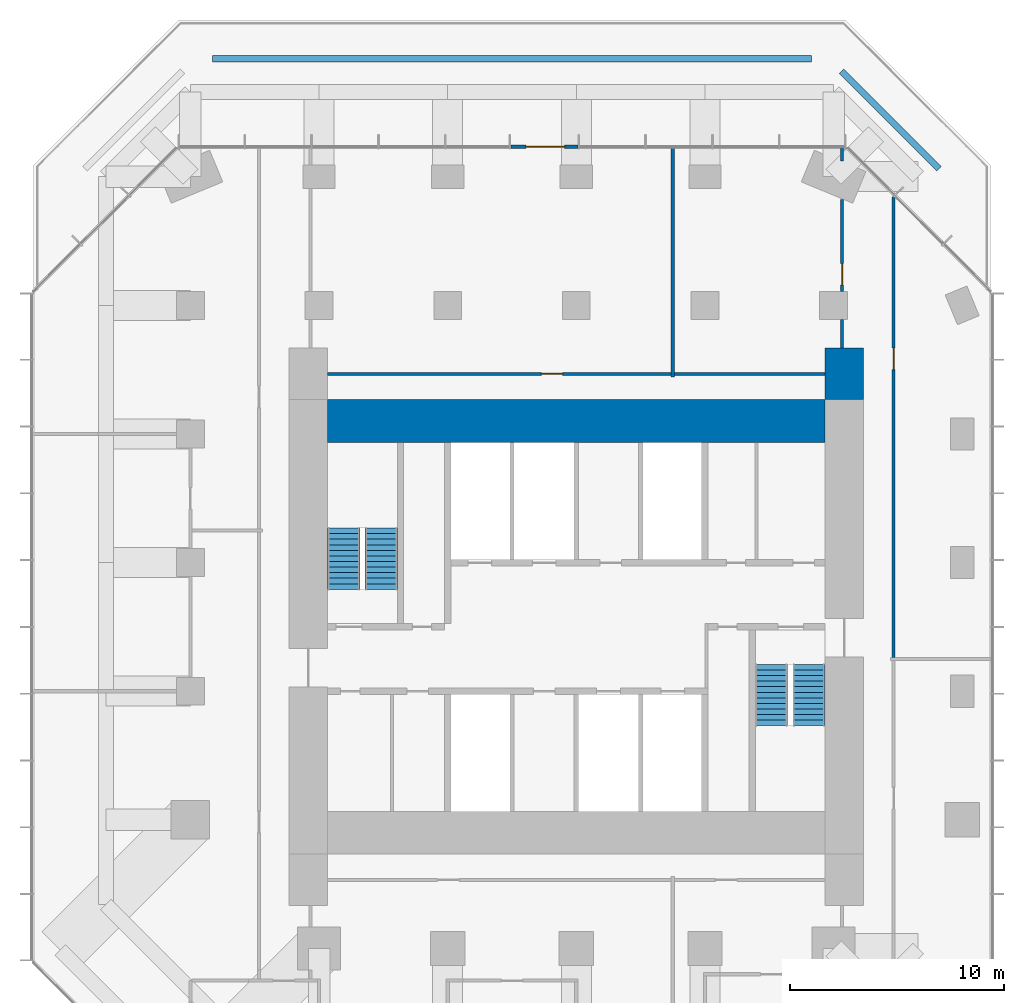
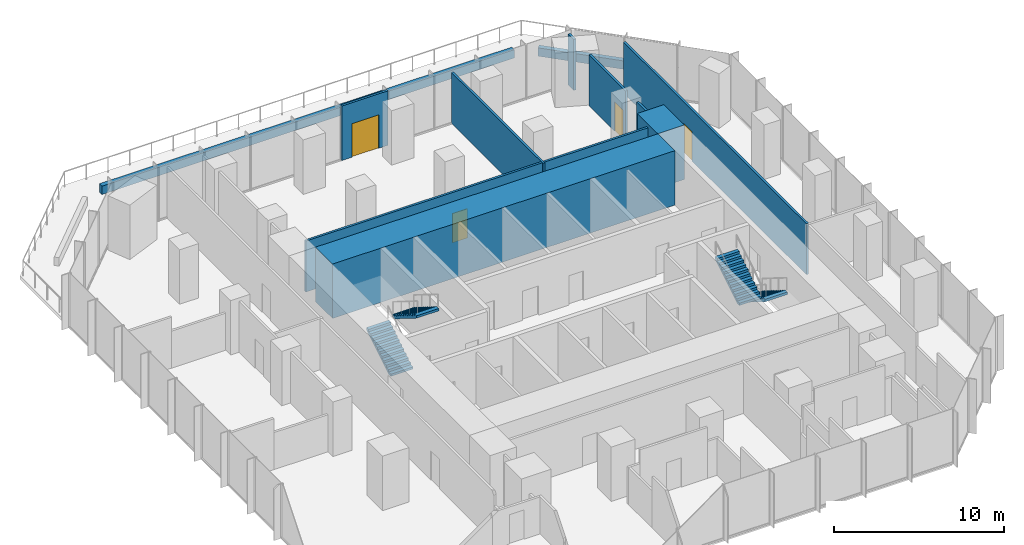
# One storey, part 10 of 11: 12 walls, 4 doors, 4 stair flights, 4 openings, 2 elements without a shape of their own.
"""IFC4 building model written with IfcOpenShell, lengths in metres."""

from ifc_helpers import new_model, si_unit, direction, frame, frame_2d, origin, place, context, subcontext, project, spatial, polyline, rectangle, outline, extrude, material, layer, layer_set, type_object, element, fill, aggregate, save


model = new_model("IFC4")

# Units and contexts
model_context = context("Model", 3, precision=1e-05, world=origin(), true_north=direction((0.0, 1.0)))
body_context = subcontext(model_context, "Body", "Model", "MODEL_VIEW")
ifc_project = project(units=[si_unit("LENGTHUNIT", "METRE"), si_unit("AREAUNIT", "SQUARE_METRE"), si_unit("VOLUMEUNIT", "CUBIC_METRE"), si_unit("PLANEANGLEUNIT", "RADIAN"), si_unit("MASSUNIT", "GRAM", prefix="KILO")], contexts=[model_context])

# Site, building, storey
site_placement = place(None, origin())
site = spatial("IfcSite", under=ifc_project, at=site_placement, CompositionType="ELEMENT")
building_placement = place(site_placement, origin())
building = spatial("IfcBuilding", under=site, at=building_placement, Name="Highveld Stack Headquarters", CompositionType="ELEMENT")
storey_placement = place(building_placement, frame((0.0, 0.0, 212.300048828125)))
storey = spatial("IfcBuildingStorey", under=building, at=storey_placement, Name="L52", CompositionType="ELEMENT", Elevation=212.300048828125)

# Walls
ifc_material_1 = material(Name="Concrete C60/75", Category="concrete")
ifc_layer_1 = layer(ifc_material_1, 2.0)
ifc_layer_set_1 = layer_set([ifc_layer_1], Name="Concrete C60/75")
wall_type_1 = type_object("IfcWallType", Name="CORE WALL 2000 C60/75", PredefinedType="SHEAR", material=ifc_layer_set_1)
wall_1_placement = place(storey_placement, frame((-5.60009765625, 12.60009765625, 0.0), z_axis=(0.0, 0.0, 1.0), x_axis=(1.0, 0.0, 0.0)))
element("IfcWall", 1, at=wall_1_placement, inside=storey, type_object=wall_type_1, Name="Core wall N L52", PredefinedType="SHEAR", context=body_context, shape_type="SweptSolid", body=[
    extrude(rectangle(XDim=23.2001953125, YDim=2.0, at=frame_2d((11.60009765625, 0.0))), origin(), (0.0, 0.0, 1.0), 3.89990234375),
])
ifc_material_2 = material(Name="Concrete C60/75", Category="concrete")
ifc_layer_2 = layer(ifc_material_2, 1.800048828125)
ifc_layer_set_2 = layer_set([ifc_layer_2], Name="Concrete C60/75")
wall_type_2 = type_object("IfcWallType", Name="CORE WING WALL 1800 C60/75", PredefinedType="SHEAR", material=ifc_layer_set_2)
wall_2_placement = place(storey_placement, frame((18.5, 13.60009765625, 0.0), z_axis=(0.0, 0.0, 1.0), x_axis=(0.0, 1.0, 0.0)))
element("IfcWall", 2, at=wall_2_placement, inside=storey, type_object=wall_type_2, Name="Core wing wall EN L52", PredefinedType="SHEAR", context=body_context, shape_type="SweptSolid", body=[
    extrude(rectangle(XDim=2.39990234375, YDim=1.800048828125, at=frame_2d((1.199951171875, 0.0))), origin(), (0.0, 0.0, 1.0), 3.89990234375),
])

# Wall, opening, door
ifc_material_3 = material(Name="Aluminium framed glazed screen", Category="aluminium")
ifc_layer_3 = layer(ifc_material_3, 0.14990234375)
ifc_layer_set_3 = layer_set([ifc_layer_3], Name="Aluminium framed glazed screen")
wall_type_3 = type_object("IfcWallType", Name="GLAZED DOOR SCREEN 150", PredefinedType="USERDEFINED", material=ifc_layer_set_3)
wall_3_placement = place(storey_placement, frame((2.95751953125, 25.39990234375, 0.0), z_axis=(0.0, 0.0, 1.0), x_axis=(1.0, 0.0, 0.0)))
wall_3 = element("IfcWall", 3, at=wall_3_placement, inside=storey, type_object=wall_type_3, Name="Glazed door screen L52 N", ObjectType="GLAZED SCREEN", PredefinedType="USERDEFINED", context=body_context, shape_type="SweptSolid", body=[
    extrude(rectangle(XDim=3.1259765625, YDim=0.14990234375, at=frame_2d((1.56298828125, 0.0))), origin(), (0.0, 0.0, 1.0), 3.89990234375),
])
opening_1_placement = place(wall_3_placement, frame((0.700439453125, 0.0, 0.0)))
opening_1 = element("IfcOpeningElement", 4, at=opening_1_placement, cuts=wall_3, Name="Opening L52-01", PredefinedType="OPENING", context=body_context, shape_type="SweptSolid", body=[
    extrude(rectangle(XDim=1.800048828125, YDim=2.39990234375, at=frame_2d((0.89990234375, 1.199951171875))), frame((0.0, 0.0849609375, 0.0), z_axis=(0.0, -1.0, 0.0), x_axis=(1.0, 0.0, 0.0)), (0.0, 0.0, 1.0), 0.169921875),
])
ifc_material_4 = material(Name="Aluminium framed glass door", Category="aluminium")
door_type_1 = type_object("IfcDoorType", Name="TERRACE DOOR D8 1800x2400", OperationType="DOUBLE_DOOR_SINGLE_SWING", PredefinedType="DOOR", material=ifc_material_4)
door_1_placement = place(opening_1_placement, origin())
door_1 = element("IfcDoor", 5, at=door_1_placement, inside=storey, type_object=door_type_1, Name="Terrace door L52 N", OperationType="DOUBLE_DOOR_SINGLE_SWING", OverallHeight=2.39990234375, OverallWidth=1.800048828125, PredefinedType="DOOR", context=body_context, shape_type="SweptSolid", body=[
    extrude(rectangle(XDim=1.800048828125, YDim=2.39990234375, at=frame_2d((0.89990234375, 1.199951171875))), frame((0.0, 0.02490234375, 0.0), z_axis=(0.0, -1.0, 0.0), x_axis=(1.0, 0.0, 0.0)), (0.0, 0.0, 1.0), 0.050048828125),
])
fill(opening_1, door_1)

ifc_material_5 = material(Name="Gypsum plasterboard on steel studs", Category="steel")
ifc_layer_4 = layer(ifc_material_5, 0.14990234375)
ifc_layer_set_4 = layer_set([ifc_layer_4], Name="Gypsum plasterboard on steel studs")
wall_type_4 = type_object("IfcWallType", Name="PARTITION 150 PLASTERBOARD", PredefinedType="PARTITIONING", material=ifc_layer_set_4)
wall_4_placement = place(storey_placement, frame((-5.60009765625, 14.800048828125, 0.0), z_axis=(0.0, 0.0, 1.0), x_axis=(1.0, 0.0, 0.0)))
wall_4 = element("IfcWall", 6, at=wall_4_placement, inside=storey, type_object=wall_type_4, Name="Partition office neighbourhood L52", PredefinedType="PARTITIONING", context=body_context, shape_type="SweptSolid", body=[
    extrude(rectangle(XDim=16.025146484375, YDim=0.14990234375, at=frame_2d((8.0126953125, 0.0))), origin(), (0.0, 0.0, 1.0), 3.64990234375),
])
opening_2_placement = place(wall_4_placement, frame((9.965087890625, 0.0, 0.0)))
opening_2 = element("IfcOpeningElement", 7, at=opening_2_placement, cuts=wall_4, Name="Opening L52-23", PredefinedType="OPENING", context=body_context, shape_type="SweptSolid", body=[
    extrude(rectangle(XDim=1.0, YDim=2.10009765625, at=frame_2d((0.5, 1.050048828125))), frame((0.0, 0.0849609375, 0.0), z_axis=(0.0, -1.0, 0.0), x_axis=(1.0, 0.0, 0.0)), (0.0, 0.0, 1.0), 0.169921875),
])
ifc_material_6 = material(Name="Timber door, oiled ash", Category="wood")
door_type_2 = type_object("IfcDoorType", Name="ROOM DOOR D6 1000x2100", OperationType="SINGLE_SWING_LEFT", PredefinedType="DOOR", material=ifc_material_6)
door_2_placement = place(opening_2_placement, origin())
door_2 = element("IfcDoor", 8, at=door_2_placement, inside=storey, type_object=door_type_2, Name="Office neighbourhood door L52", OperationType="SINGLE_SWING_RIGHT", OverallHeight=2.10009765625, OverallWidth=1.0, PredefinedType="DOOR", context=body_context, shape_type="SweptSolid", body=[
    extrude(rectangle(XDim=1.0, YDim=2.10009765625, at=frame_2d((0.5, 1.050048828125))), frame((0.0, 0.02490234375, 0.0), z_axis=(0.0, -1.0, 0.0), x_axis=(1.0, 0.0, 0.0)), (0.0, 0.0, 1.0), 0.050048828125),
])
fill(opening_2, door_2)

# Walls
wall_5_placement = place(storey_placement, frame((10.5, 14.64990234375, 0.0), z_axis=(0.0, 0.0, 1.0), x_axis=(0.0, 1.0, 0.0)))
element("IfcWall", 9, at=wall_5_placement, inside=storey, type_object=wall_type_4, Name="Partition office neighbourhood L52", PredefinedType="PARTITIONING", context=body_context, shape_type="SweptSolid", body=[
    extrude(rectangle(XDim=10.75, YDim=0.14990234375, at=frame_2d((5.375, 0.0))), origin(), (0.0, 0.0, 1.0), 3.64990234375),
])
wall_6_placement = place(storey_placement, frame((10.574951171875, 14.800048828125, 0.0), z_axis=(0.0, 0.0, 1.0), x_axis=(1.0, 0.0, 0.0)))
element("IfcWall", 10, at=wall_6_placement, inside=storey, type_object=wall_type_4, Name="Partition office neighbourhood L52", PredefinedType="PARTITIONING", context=body_context, shape_type="SweptSolid", body=[
    extrude(rectangle(XDim=7.025146484375, YDim=0.14990234375, at=frame_2d((3.5126953125, 0.0))), origin(), (0.0, 0.0, 1.0), 3.64990234375),
])
wall_7_placement = place(storey_placement, frame((18.39990234375, 16.0, 0.0), z_axis=(0.0, 0.0, 1.0), x_axis=(0.0, 1.0, 0.0)))
element("IfcWall", 11, at=wall_7_placement, inside=storey, type_object=wall_type_4, Name="Partition office neighbourhood L52", PredefinedType="PARTITIONING", context=body_context, shape_type="SweptSolid", body=[
    extrude(rectangle(XDim=1.35009765625, YDim=0.14990234375, at=frame_2d((0.675048828125, 0.0))), origin(), (0.0, 0.0, 1.0), 3.64990234375),
])

# Wall, opening, door
wall_8_placement = place(storey_placement, frame((18.39990234375, 18.64990234375, 0.0), z_axis=(0.0, 0.0, 1.0), x_axis=(0.0, 1.0, 0.0)))
wall_8 = element("IfcWall", 12, at=wall_8_placement, inside=storey, type_object=wall_type_4, Name="Partition office neighbourhood L52", PredefinedType="PARTITIONING", context=body_context, shape_type="SweptSolid", body=[
    extrude(rectangle(XDim=4.287353515625, YDim=0.14990234375, at=frame_2d((2.1435546875, 0.0))), origin(), (0.0, 0.0, 1.0), 3.64990234375),
])
opening_3_placement = place(wall_8_placement, frame((0.300048828125, 0.0, 0.0)))
opening_3 = element("IfcOpeningElement", 13, at=opening_3_placement, cuts=wall_8, Name="Opening L52-24", PredefinedType="OPENING", context=body_context, shape_type="SweptSolid", body=[
    extrude(rectangle(XDim=1.0, YDim=2.10009765625, at=frame_2d((0.5, 1.050048828125))), frame((0.0, 0.0849609375, 0.0), z_axis=(0.0, -1.0, 0.0), x_axis=(1.0, 0.0, 0.0)), (0.0, 0.0, 1.0), 0.169921875),
])
door_3_placement = place(opening_3_placement, origin())
door_3 = element("IfcDoor", 14, at=door_3_placement, inside=storey, type_object=door_type_2, Name="Office neighbourhood door L52", OperationType="SINGLE_SWING_LEFT", OverallHeight=2.10009765625, OverallWidth=1.0, PredefinedType="DOOR", context=body_context, shape_type="SweptSolid", body=[
    extrude(rectangle(XDim=1.0, YDim=2.10009765625, at=frame_2d((0.5, 1.050048828125))), frame((0.0, 0.02490234375, 0.0), z_axis=(0.0, -1.0, 0.0), x_axis=(1.0, 0.0, 0.0)), (0.0, 0.0, 1.0), 0.050048828125),
])
fill(opening_3, door_3)

# Wall
wall_9_placement = place(storey_placement, frame((18.39990234375, 24.731201171875, 0.0), z_axis=(0.0, 0.0, 1.0), x_axis=(0.0, 1.0, 0.0)))
element("IfcWall", 15, at=wall_9_placement, inside=storey, type_object=wall_type_4, Name="Partition office neighbourhood L52", PredefinedType="PARTITIONING", context=body_context, shape_type="SweptSolid", body=[
    extrude(rectangle(XDim=0.668701171875, YDim=0.14990234375, at=frame_2d((0.33447265625, 0.0))), origin(), (0.0, 0.0, 1.0), 3.64990234375),
])

# Wall, opening, door
wall_10_placement = place(storey_placement, frame((20.800048828125, 1.574951171875, 0.0), z_axis=(0.0, 0.0, 1.0), x_axis=(0.0, 1.0, 0.0)))
wall_10 = element("IfcWall", 16, at=wall_10_placement, inside=storey, type_object=wall_type_4, Name="Partition office neighbourhood L52", PredefinedType="PARTITIONING", context=body_context, shape_type="SweptSolid", body=[
    extrude(rectangle(XDim=21.489013671875, YDim=0.14990234375, at=frame_2d((10.74462890625, 0.0))), origin(), (0.0, 0.0, 1.0), 3.64990234375),
])
opening_4_placement = place(wall_10_placement, frame((13.425048828125, 0.0, 0.0)))
opening_4 = element("IfcOpeningElement", 17, at=opening_4_placement, cuts=wall_10, Name="Opening L52-21", PredefinedType="OPENING", context=body_context, shape_type="SweptSolid", body=[
    extrude(rectangle(XDim=1.0, YDim=2.10009765625, at=frame_2d((0.5, 1.050048828125))), frame((0.0, 0.0849609375, 0.0), z_axis=(0.0, -1.0, 0.0), x_axis=(1.0, 0.0, 0.0)), (0.0, 0.0, 1.0), 0.169921875),
])
door_4_placement = place(opening_4_placement, origin())
door_4 = element("IfcDoor", 18, at=door_4_placement, inside=storey, type_object=door_type_2, Name="Office neighbourhood door L52", OperationType="SINGLE_SWING_RIGHT", OverallHeight=2.10009765625, OverallWidth=1.0, PredefinedType="DOOR", context=body_context, shape_type="SweptSolid", body=[
    extrude(rectangle(XDim=1.0, YDim=2.10009765625, at=frame_2d((0.5, 1.050048828125))), frame((0.0, 0.02490234375, 0.0), z_axis=(0.0, -1.0, 0.0), x_axis=(1.0, 0.0, 0.0)), (0.0, 0.0, 1.0), 0.050048828125),
])
fill(opening_4, door_4)

# Walls
ifc_material_7 = material(Name="Concrete C40/50, precast planter", Category="concrete")
ifc_layer_5 = layer(ifc_material_7, 0.300048828125)
ifc_layer_set_5 = layer_set([ifc_layer_5], Name="Concrete C40/50, precast planter")
wall_type_5 = type_object("IfcWallType", Name="PLANTER WALL PL1 300", PredefinedType="USERDEFINED", material=ifc_layer_set_5)
wall_11_placement = place(storey_placement, frame((-10.976318359375, 29.5, 0.0), z_axis=(0.0, 0.0, 1.0), x_axis=(1.0, 0.0, 0.0)))
element("IfcWall", 19, at=wall_11_placement, inside=storey, type_object=wall_type_5, Name="Planter L52 1.3", ObjectType="PLANTER", PredefinedType="USERDEFINED", context=body_context, shape_type="SweptSolid", body=[
    extrude(rectangle(XDim=27.95263671875, YDim=0.300048828125, at=frame_2d((13.976318359375, 0.0))), origin(), (0.0, 0.0, 1.0), 0.599853515625),
])
wall_12_placement = place(storey_placement, frame((18.370361328125, 28.922607421875, 0.0), z_axis=(0.0, 0.0, 1.0), x_axis=(0.707106781187, -0.707106781187, 0.0)))
element("IfcWall", 20, at=wall_12_placement, inside=storey, type_object=wall_type_5, Name="Planter L52 1.4", ObjectType="PLANTER", PredefinedType="USERDEFINED", context=body_context, shape_type="SweptSolid", body=[
    extrude(rectangle(XDim=6.437744140625, YDim=0.300048828125, at=frame_2d((3.21875, 0.0))), origin(), (0.0, 0.0, 1.0), 0.599853515625),
])

# Stair, stair flights
ifc_material_8 = material(Name="Concrete C40/50, precast", Category="concrete")
stair_type_1 = type_object("IfcStairType", Name="STAIR S1 HALF TURN 1500", PredefinedType="HALF_TURN_STAIR", material=ifc_material_8)
stair_1_placement = place(storey_placement, origin())
stair_1 = element("IfcStair", 21, at=stair_1_placement, inside=storey, type_object=stair_type_1, Name="Stair S1 L52", PredefinedType="HALF_TURN_STAIR")
ifc_material_9 = material(Name="Concrete C40/50, precast", Category="concrete")
stair_flight_type = type_object("IfcStairFlightType", Name="STAIR FLIGHT 1500 PRECAST", PredefinedType="STRAIGHT", material=ifc_material_9)
stair_flight_1_placement = place(storey_placement, frame((-4.85009765625, 4.75, 0.0), z_axis=(0.0, 0.0, 1.0), x_axis=(0.0, 1.0, 0.0)))
stair_flight_1 = element("IfcStairFlight", 22, at=stair_flight_1_placement, type_object=stair_flight_type, Name="S1 flight 1", NumberOfRisers=12, NumberOfTreads=11, PredefinedType="STRAIGHT", RiserHeight=0.1625, TreadLength=0.26, context=body_context, shape_type="SweptSolid", body=[
    extrude(outline(polyline([(0.0, 0.0), (0.0, 0.16259765625), (0.260009765625, 0.16259765625), (0.260009765625, 0.324951171875), (0.52001953125, 0.324951171875), (0.52001953125, 0.487548828125), (0.780029296875, 0.487548828125), (0.780029296875, 0.64990234375), (1.0400390625, 0.64990234375), (1.0400390625, 0.8125), (1.300048828125, 0.8125), (1.300048828125, 0.97509765625), (1.56005859375, 0.97509765625), (1.56005859375, 1.137451171875), (1.820068359375, 1.137451171875), (1.820068359375, 1.300048828125), (2.080078125, 1.300048828125), (2.080078125, 1.46240234375), (2.340087890625, 1.46240234375), (2.340087890625, 1.625), (2.60009765625, 1.625), (2.60009765625, 1.78759765625), (2.860107421875, 1.78759765625), (2.860107421875, 1.949951171875), (2.860107421875, 1.61083984375), (0.28271484375, 0.0), (0.0, 0.0)])), frame((0.0, 0.75, 0.0), z_axis=(0.0, -1.0, 0.0), x_axis=(1.0, 0.0, 0.0)), (0.0, 0.0, 1.0), 1.5),
])
stair_flight_2_placement = place(storey_placement, frame((-3.10009765625, 7.610107421875, 1.949951171875), z_axis=(0.0, 0.0, 1.0), x_axis=(0.0, -1.0, 0.0)))
stair_flight_2 = element("IfcStairFlight", 23, at=stair_flight_2_placement, type_object=stair_flight_type, Name="S1 flight 2", NumberOfRisers=12, NumberOfTreads=11, PredefinedType="STRAIGHT", RiserHeight=0.1625, TreadLength=0.26, context=body_context, shape_type="SweptSolid", body=[
    extrude(outline(polyline([(0.0, 0.0), (0.0, 0.16259765625), (0.260009765625, 0.16259765625), (0.260009765625, 0.324951171875), (0.52001953125, 0.324951171875), (0.52001953125, 0.487548828125), (0.780029296875, 0.487548828125), (0.780029296875, 0.64990234375), (1.0400390625, 0.64990234375), (1.0400390625, 0.8125), (1.300048828125, 0.8125), (1.300048828125, 0.97509765625), (1.56005859375, 0.97509765625), (1.56005859375, 1.137451171875), (1.820068359375, 1.137451171875), (1.820068359375, 1.300048828125), (2.080078125, 1.300048828125), (2.080078125, 1.46240234375), (2.340087890625, 1.46240234375), (2.340087890625, 1.625), (2.60009765625, 1.625), (2.60009765625, 1.78759765625), (2.860107421875, 1.78759765625), (2.860107421875, 1.949951171875), (2.860107421875, 1.61083984375), (0.28271484375, 0.0), (0.0, 0.0)])), frame((0.0, 0.75, 0.0), z_axis=(0.0, -1.0, 0.0), x_axis=(1.0, 0.0, 0.0)), (0.0, 0.0, 1.0), 1.5),
])
aggregate(stair_1, [stair_flight_1, stair_flight_2])

ifc_material_10 = material(Name="Concrete C40/50, precast", Category="concrete")
stair_type_2 = type_object("IfcStairType", Name="STAIR S2 HALF TURN 1500", PredefinedType="HALF_TURN_STAIR", material=ifc_material_10)
stair_2_placement = place(storey_placement, origin())
stair_2 = element("IfcStair", 24, at=stair_2_placement, inside=storey, type_object=stair_type_2, Name="Stair S2 L52", PredefinedType="HALF_TURN_STAIR")
stair_flight_3_placement = place(storey_placement, frame((16.85009765625, 1.25, 0.0), z_axis=(0.0, 0.0, 1.0), x_axis=(0.0, -1.0, 0.0)))
stair_flight_3 = element("IfcStairFlight", 25, at=stair_flight_3_placement, type_object=stair_flight_type, Name="S2 flight 1", NumberOfRisers=12, NumberOfTreads=11, PredefinedType="STRAIGHT", RiserHeight=0.1625, TreadLength=0.26, context=body_context, shape_type="SweptSolid", body=[
    extrude(outline(polyline([(0.0, 0.0), (0.0, 0.16259765625), (0.260009765625, 0.16259765625), (0.260009765625, 0.324951171875), (0.52001953125, 0.324951171875), (0.52001953125, 0.487548828125), (0.780029296875, 0.487548828125), (0.780029296875, 0.64990234375), (1.0400390625, 0.64990234375), (1.0400390625, 0.8125), (1.300048828125, 0.8125), (1.300048828125, 0.97509765625), (1.56005859375, 0.97509765625), (1.56005859375, 1.137451171875), (1.820068359375, 1.137451171875), (1.820068359375, 1.300048828125), (2.080078125, 1.300048828125), (2.080078125, 1.46240234375), (2.340087890625, 1.46240234375), (2.340087890625, 1.625), (2.60009765625, 1.625), (2.60009765625, 1.78759765625), (2.860107421875, 1.78759765625), (2.860107421875, 1.949951171875), (2.860107421875, 1.61083984375), (0.28271484375, 0.0), (0.0, 0.0)])), frame((0.0, 0.75, 0.0), z_axis=(0.0, -1.0, 0.0), x_axis=(1.0, 0.0, 0.0)), (0.0, 0.0, 1.0), 1.5),
])
stair_flight_4_placement = place(storey_placement, frame((15.10009765625, -1.610107421875, 1.949951171875), z_axis=(0.0, 0.0, 1.0), x_axis=(0.0, 1.0, 0.0)))
stair_flight_4 = element("IfcStairFlight", 26, at=stair_flight_4_placement, type_object=stair_flight_type, Name="S2 flight 2", NumberOfRisers=12, NumberOfTreads=11, PredefinedType="STRAIGHT", RiserHeight=0.1625, TreadLength=0.26, context=body_context, shape_type="SweptSolid", body=[
    extrude(outline(polyline([(0.0, 0.0), (0.0, 0.16259765625), (0.260009765625, 0.16259765625), (0.260009765625, 0.324951171875), (0.52001953125, 0.324951171875), (0.52001953125, 0.487548828125), (0.780029296875, 0.487548828125), (0.780029296875, 0.64990234375), (1.0400390625, 0.64990234375), (1.0400390625, 0.8125), (1.300048828125, 0.8125), (1.300048828125, 0.97509765625), (1.56005859375, 0.97509765625), (1.56005859375, 1.137451171875), (1.820068359375, 1.137451171875), (1.820068359375, 1.300048828125), (2.080078125, 1.300048828125), (2.080078125, 1.46240234375), (2.340087890625, 1.46240234375), (2.340087890625, 1.625), (2.60009765625, 1.625), (2.60009765625, 1.78759765625), (2.860107421875, 1.78759765625), (2.860107421875, 1.949951171875), (2.860107421875, 1.61083984375), (0.28271484375, 0.0), (0.0, 0.0)])), frame((0.0, 0.75, 0.0), z_axis=(0.0, -1.0, 0.0), x_axis=(1.0, 0.0, 0.0)), (0.0, 0.0, 1.0), 1.5),
])
aggregate(stair_2, [stair_flight_3, stair_flight_4])

save(model, "model.ifc")
